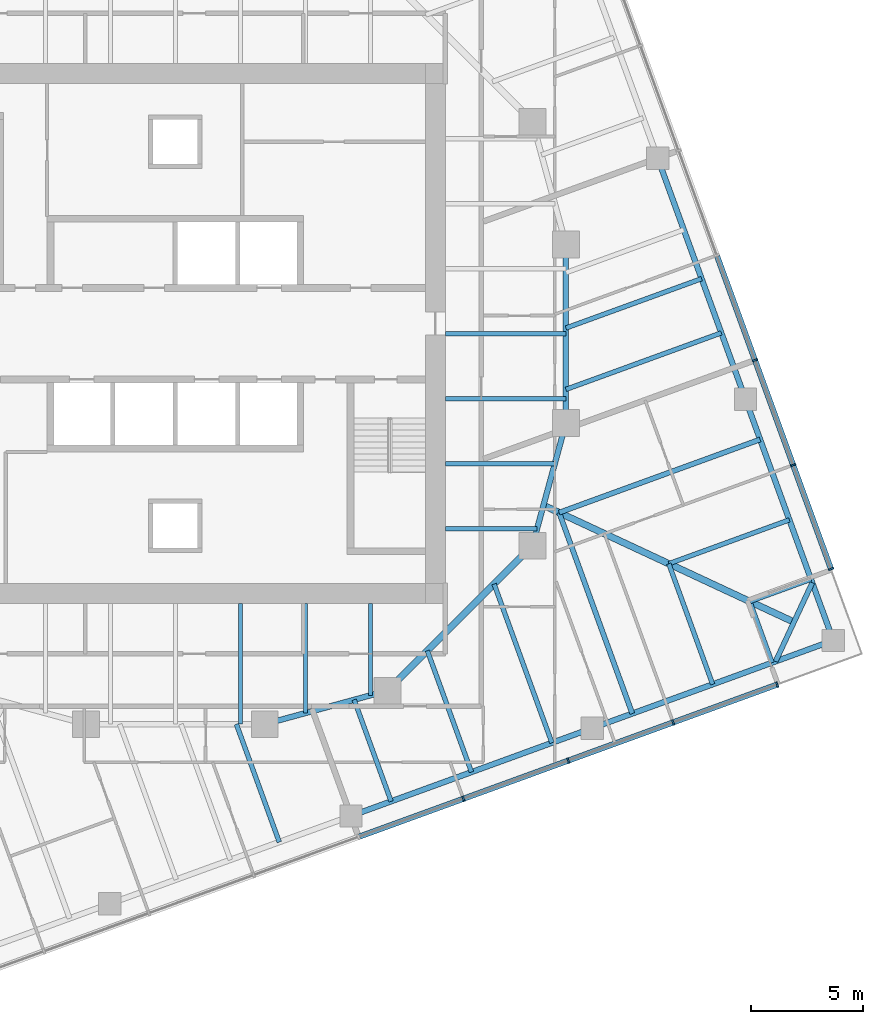
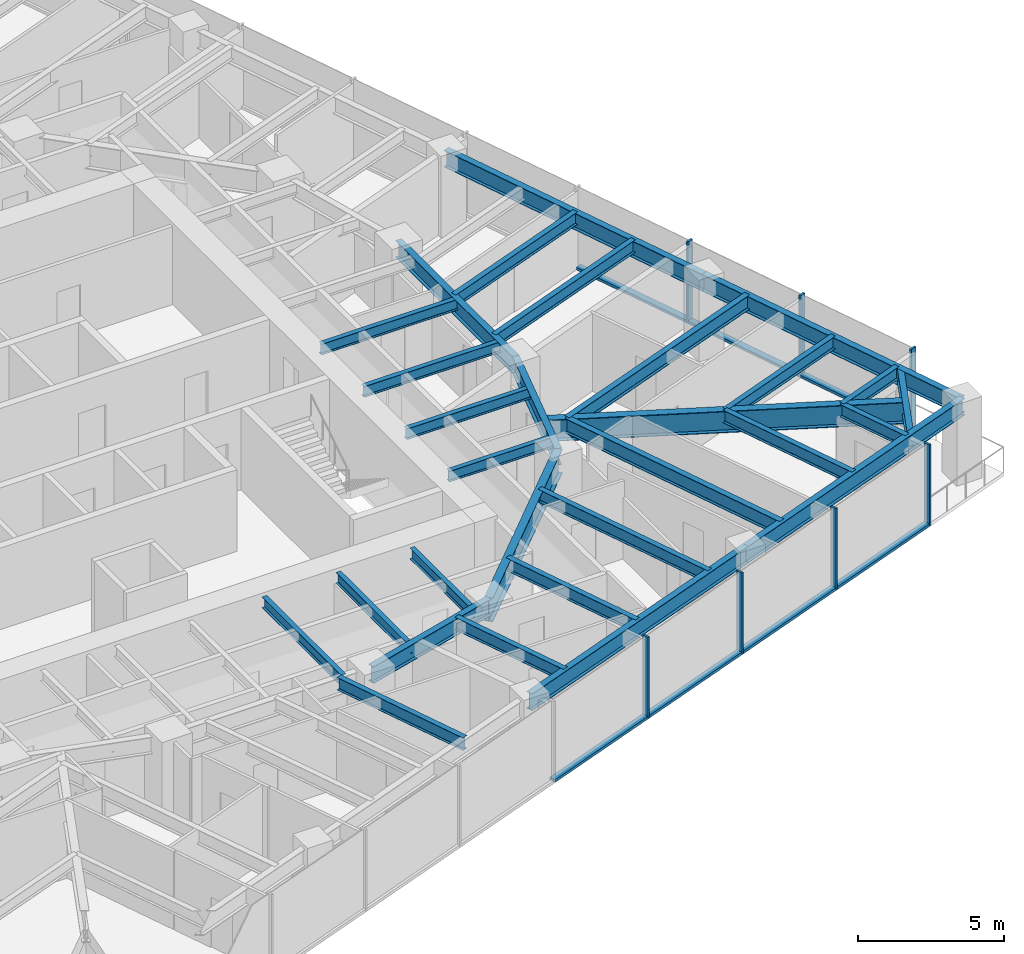
# One storey, part 3 of 13: 29 beams, 14 members, 2 elements without a shape of their own.
"""IFC4 building model written with IfcOpenShell, lengths in metres."""

from ifc_helpers import new_model, si_unit, direction, frame, origin, origin_2d, place, context, subcontext, project, spatial, rectangle, i_section, extrude, material, material_profile, profile_set, type_object, element, aggregate, save


model = new_model("IFC4")

# Units and contexts
model_context = context("Model", 3, precision=1e-05, world=origin(), true_north=direction((0.0, 1.0)))
body_context = subcontext(model_context, "Body", "Model", "MODEL_VIEW")
ifc_project = project(units=[si_unit("LENGTHUNIT", "METRE"), si_unit("AREAUNIT", "SQUARE_METRE"), si_unit("VOLUMEUNIT", "CUBIC_METRE"), si_unit("PLANEANGLEUNIT", "RADIAN"), si_unit("MASSUNIT", "GRAM", prefix="KILO")], contexts=[model_context])

# Site, building, storey
site_placement = place(None, origin())
site = spatial("IfcSite", under=ifc_project, at=site_placement, CompositionType="ELEMENT")
building_placement = place(site_placement, origin())
building = spatial("IfcBuilding", under=site, at=building_placement, Name="Torsade Residences", CompositionType="ELEMENT")
storey_placement = place(building_placement, frame((0.0, 0.0, 147.199951171875)))
storey = spatial("IfcBuildingStorey", under=building, at=storey_placement, Name="L40", CompositionType="ELEMENT", Elevation=147.199951171875)

# Beams
ifc_material_1 = material(Name="Steel grade 300", Category="steel")
ifc_material_profile_1 = material_profile(ifc_material_1, i_section(OverallWidth=0.300048828125, OverallDepth=0.89990234375, WebThickness=0.011962890625, FlangeThickness=0.02490234375, at=origin_2d()), Name="900WB175")
ifc_profile_set_1 = profile_set([ifc_material_profile_1], Name="Steel grade 300")
beam_type_1 = type_object("IfcBeamType", Name="CORNER GIRDER 900WB175", PredefinedType="BEAM", material=ifc_profile_set_1)
beam_1_placement = place(storey_placement, frame((67.717041015625, 17.075439453125, 2.800048828125), z_axis=(-0.906308509373, 0.422616712682, 0.0), x_axis=(-0.422616712682, -0.906308509373, 0.0)))
element("IfcBeam", 1, at=beam_1_placement, inside=storey, type_object=beam_type_1, Name="Corner girder 05 L41", PredefinedType="BEAM", context=body_context, shape_type="SweptSolid", body=[
    extrude(i_section(OverallWidth=0.300048828125, OverallDepth=0.89990234375, WebThickness=0.011962890625, FlangeThickness=0.02490234375, at=origin_2d()), origin(), (0.0, 0.0, 1.0), 12.3837890625),
])
ifc_material_2 = material(Name="Steel grade 300", Category="steel")
ifc_material_profile_2 = material_profile(ifc_material_2, i_section(OverallWidth=0.22802734375, OverallDepth=0.60205078125, WebThickness=0.010498046875, FlangeThickness=0.014892578125, FilletRadius=0.013916015625, at=origin_2d()), Name="610UB101")
ifc_profile_set_2 = profile_set([ifc_material_profile_2], Name="Steel grade 300")
beam_type_2 = type_object("IfcBeamType", Name="CORNER TRIMMER 610UB101", PredefinedType="BEAM", material=ifc_profile_set_2)
beam_2_placement = place(storey_placement, frame((68.538818359375, 18.837646484375, 2.948974609375), z_axis=(-0.422613947806, -0.906309798645, 0.0), x_axis=(0.906309798645, -0.422613947806, 0.0)))
element("IfcBeam", 2, at=beam_2_placement, inside=storey, type_object=beam_type_2, Name="Corner trimmer 05 L41", PredefinedType="BEAM", context=body_context, shape_type="SweptSolid", body=[
    extrude(i_section(OverallWidth=0.22802734375, OverallDepth=0.60205078125, WebThickness=0.010498046875, FlangeThickness=0.014892578125, FilletRadius=0.013916015625, at=origin_2d()), origin(), (0.0, 0.0, 1.0), 3.888916015625),
])
ifc_material_3 = material(Name="Steel grade 300", Category="steel")
ifc_material_profile_3 = material_profile(ifc_material_3, i_section(OverallWidth=0.25, OverallDepth=0.699951171875, WebThickness=0.010009765625, FlangeThickness=0.02001953125, at=origin_2d()), Name="700WB130")
ifc_profile_set_3 = profile_set([ifc_material_profile_3], Name="Steel grade 300")
beam_type_3 = type_object("IfcBeamType", Name="EDGE BEAM 700WB130", PredefinedType="SPANDREL", material=ifc_profile_set_3)
for number, where, z_axis, x_axis, name in (
    (3, (47.866455078125, 8.386962890625, 2.900146484375), (0.939688625666, 0.342031119628, 0.0), (-0.342031119628, 0.939688625666, 0.0), "Edge beam 03 L41"),
    (4, (58.6728515625, 12.3203125, 2.900146484375), (0.939697932031, 0.342005550448, 0.0), (-0.342005550448, 0.939697932031, 0.0), "Edge beam 04 L41"),
):
    element("IfcBeam", number, at=place(storey_placement, frame(where, z_axis=z_axis, x_axis=x_axis)), inside=storey, type_object=beam_type_3, Name=name, PredefinedType="SPANDREL", context=body_context, shape_type="SweptSolid", body=[
        extrude(i_section(OverallWidth=0.25, OverallDepth=0.699951171875, WebThickness=0.010009765625, FlangeThickness=0.02001953125, at=origin_2d()), origin(), (0.0, 0.0, 1.0), 11.5),
    ])
beam_3_placement = place(storey_placement, frame((69.4794921875, 16.25341796875, 2.900146484375), z_axis=(-0.342024296483, 0.93969110915, 0.0), x_axis=(-0.93969110915, -0.342024296483, 0.0)))
element("IfcBeam", 5, at=beam_3_placement, inside=storey, type_object=beam_type_3, Name="Edge beam 05 L41", PredefinedType="SPANDREL", context=body_context, shape_type="SweptSolid", body=[
    extrude(i_section(OverallWidth=0.25, OverallDepth=0.699951171875, WebThickness=0.010009765625, FlangeThickness=0.02001953125, at=origin_2d()), origin(), (0.0, 0.0, 1.0), 11.500244140625),
])
beam_4_placement = place(storey_placement, frame((65.546142578125, 27.06005859375, 2.900146484375), z_axis=(-0.342012373318, 0.939695448801, 0.0), x_axis=(-0.939695448801, -0.342012373318, 0.0)))
element("IfcBeam", 6, at=beam_4_placement, inside=storey, type_object=beam_type_3, Name="Edge beam 06 L41", PredefinedType="SPANDREL", context=body_context, shape_type="SweptSolid", body=[
    extrude(i_section(OverallWidth=0.25, OverallDepth=0.699951171875, WebThickness=0.010009765625, FlangeThickness=0.02001953125, at=origin_2d()), origin(), (0.0, 0.0, 1.0), 11.5),
])
ifc_material_4 = material(Name="Steel grade 300", Category="steel")
ifc_material_profile_4 = material_profile(ifc_material_4, i_section(OverallWidth=0.18994140625, OverallDepth=0.4541015625, WebThickness=0.008544921875, FlangeThickness=0.0126953125, FilletRadius=0.011474609375, at=origin_2d()), Name="460UB67.1")
ifc_profile_set_4 = profile_set([ifc_material_profile_4], Name="Steel grade 300")
beam_type_4 = type_object("IfcBeamType", Name="INNER FLOOR BEAM 460UB67.1", PredefinedType="JOIST", material=ifc_profile_set_4)
beam_5_placement = place(storey_placement, frame((48.737548828125, 17.89990234375, 3.02294921875), z_axis=(0.0, -1.0, 0.0), x_axis=(1.0, 0.0, 0.0)))
element("IfcBeam", 7, at=beam_5_placement, inside=storey, type_object=beam_type_4, Name="Inner floor beam IS01 L41", PredefinedType="JOIST", context=body_context, shape_type="SweptSolid", body=[
    extrude(i_section(OverallWidth=0.18994140625, OverallDepth=0.4541015625, WebThickness=0.008544921875, FlangeThickness=0.0126953125, FilletRadius=0.011474609375, at=origin_2d()), origin(), (0.0, 0.0, 1.0), 4.10791015625),
])
beam_6_placement = place(storey_placement, frame((45.824951171875, 17.89990234375, 3.02294921875), z_axis=(0.0, -1.0, 0.0), x_axis=(1.0, 0.0, 0.0)))
element("IfcBeam", 8, at=beam_6_placement, inside=storey, type_object=beam_type_4, Name="Inner floor beam IS02 L41", PredefinedType="JOIST", context=body_context, shape_type="SweptSolid", body=[
    extrude(i_section(OverallWidth=0.18994140625, OverallDepth=0.4541015625, WebThickness=0.008544921875, FlangeThickness=0.0126953125, FilletRadius=0.011474609375, at=origin_2d()), origin(), (0.0, 0.0, 1.0), 4.902099609375),
])
beam_7_placement = place(storey_placement, frame((42.91259765625, 17.89990234375, 3.02294921875), z_axis=(0.0, -1.0, 0.0), x_axis=(1.0, 0.0, 0.0)))
element("IfcBeam", 9, at=beam_7_placement, inside=storey, type_object=beam_type_4, Name="Inner floor beam IS03 L41", PredefinedType="JOIST", context=body_context, shape_type="SweptSolid", body=[
    extrude(i_section(OverallWidth=0.18994140625, OverallDepth=0.4541015625, WebThickness=0.008544921875, FlangeThickness=0.0126953125, FilletRadius=0.011474609375, at=origin_2d()), origin(), (0.0, 0.0, 1.0), 5.39990234375),
])
beam_8_placement = place(storey_placement, frame((52.10009765625, 21.262451171875, 3.02294921875), z_axis=(1.0, 0.0, 0.0), x_axis=(0.0, 1.0, 0.0)))
element("IfcBeam", 10, at=beam_8_placement, inside=storey, type_object=beam_type_4, Name="Inner floor beam IE01 L41", PredefinedType="JOIST", context=body_context, shape_type="SweptSolid", body=[
    extrude(i_section(OverallWidth=0.18994140625, OverallDepth=0.4541015625, WebThickness=0.008544921875, FlangeThickness=0.0126953125, FilletRadius=0.011474609375, at=origin_2d()), origin(), (0.0, 0.0, 1.0), 4.10791015625),
])
beam_9_placement = place(storey_placement, frame((52.10009765625, 24.175048828125, 3.02294921875), z_axis=(1.0, 0.0, 0.0), x_axis=(0.0, 1.0, 0.0)))
element("IfcBeam", 11, at=beam_9_placement, inside=storey, type_object=beam_type_4, Name="Inner floor beam IE02 L41", PredefinedType="JOIST", context=body_context, shape_type="SweptSolid", body=[
    extrude(i_section(OverallWidth=0.18994140625, OverallDepth=0.4541015625, WebThickness=0.008544921875, FlangeThickness=0.0126953125, FilletRadius=0.011474609375, at=origin_2d()), origin(), (0.0, 0.0, 1.0), 4.902099609375),
])
for number, where, z_axis, x_axis, name in (
    (12, (52.10009765625, 27.08740234375, 3.02294921875), (1.0, 0.0, 0.0), (0.0, 1.0, 0.0), "Inner floor beam IE03 L41"),
    (13, (52.10009765625, 30.0, 3.02294921875), (1.0, 0.0, 0.0), (0.0, 1.0, 0.0), "Inner floor beam IE04 L41"),
):
    element("IfcBeam", number, at=place(storey_placement, frame(where, z_axis=z_axis, x_axis=x_axis)), inside=storey, type_object=beam_type_4, Name=name, PredefinedType="JOIST", context=body_context, shape_type="SweptSolid", body=[
        extrude(i_section(OverallWidth=0.18994140625, OverallDepth=0.4541015625, WebThickness=0.008544921875, FlangeThickness=0.0126953125, FilletRadius=0.011474609375, at=origin_2d()), origin(), (0.0, 0.0, 1.0), 5.39990234375),
    ])

# Curtain wall, members
ifc_material_5 = material(Name="Aluminium and glass", Category="aluminium")
curtain_wall_type = type_object("IfcCurtainWallType", Name="FRITTED GLASS CURTAIN WALL MID ZONE", PredefinedType="NOTDEFINED", material=ifc_material_5)
curtain_wall_1_placement = place(storey_placement, origin())
curtain_wall_1 = element("IfcCurtainWall", 14, at=curtain_wall_1_placement, inside=storey, type_object=curtain_wall_type, Name="Curtain wall L40 face 1", PredefinedType="NOTDEFINED")
ifc_material_6 = material(Name="Aluminium mullion", Category="aluminium")
ifc_material_profile_5 = material_profile(ifc_material_6, rectangle(XDim=0.25, YDim=0.080078125, at=origin_2d()), Name="MID ZONE CURTAIN WALL MULLION 250x80")
ifc_profile_set_5 = profile_set([ifc_material_profile_5], Name="Aluminium mullion")
member_type_1 = type_object("IfcMemberType", Name="MID ZONE CURTAIN WALL MULLION 250x80", PredefinedType="MULLION", material=ifc_profile_set_5)
member_1_placement = place(storey_placement, frame((52.906982421875, 9.157470703125, 0.0), z_axis=(0.0, 0.0, 1.0), x_axis=(-0.342020147869, 0.939692619132, 0.0)))
member_1 = element("IfcMember", 15, at=member_1_placement, type_object=member_type_1, Name="Mullion 6", PredefinedType="MULLION", context=body_context, shape_type="SweptSolid", body=[
    extrude(rectangle(XDim=0.25, YDim=0.080078125, at=origin_2d()), origin(), (0.0, 0.0, 1.0), 3.400146484375),
])
member_2_placement = place(storey_placement, frame((57.60546875, 10.86767578125, 0.0), z_axis=(0.0, 0.0, 1.0), x_axis=(-0.342020147869, 0.939692619132, 0.0)))
member_2 = element("IfcMember", 16, at=member_2_placement, type_object=member_type_1, Name="Mullion 7", PredefinedType="MULLION", context=body_context, shape_type="SweptSolid", body=[
    extrude(rectangle(XDim=0.25, YDim=0.080078125, at=origin_2d()), origin(), (0.0, 0.0, 1.0), 3.400146484375),
])
member_3_placement = place(storey_placement, frame((62.303955078125, 12.57763671875, 0.0), z_axis=(0.0, 0.0, 1.0), x_axis=(-0.342020147869, 0.939692619132, 0.0)))
member_3 = element("IfcMember", 17, at=member_3_placement, type_object=member_type_1, Name="Mullion 8", PredefinedType="MULLION", context=body_context, shape_type="SweptSolid", body=[
    extrude(rectangle(XDim=0.25, YDim=0.080078125, at=origin_2d()), origin(), (0.0, 0.0, 1.0), 3.400146484375),
])
member_4_placement = place(storey_placement, frame((66.96484375, 14.274169921875, 0.0), z_axis=(0.0, 0.0, 1.0), x_axis=(-0.342020147869, 0.939692619132, 0.0)))
member_4 = element("IfcMember", 18, at=member_4_placement, type_object=member_type_1, Name="Mullion 9", PredefinedType="MULLION", context=body_context, shape_type="SweptSolid", body=[
    extrude(rectangle(XDim=0.25, YDim=0.080078125, at=origin_2d()), origin(), (0.0, 0.0, 1.0), 3.400146484375),
])

curtain_wall_2_placement = place(storey_placement, origin())
curtain_wall_2 = element("IfcCurtainWall", 19, at=curtain_wall_2_placement, inside=storey, type_object=curtain_wall_type, Name="Curtain wall L40 face 4", PredefinedType="NOTDEFINED")
member_5_placement = place(storey_placement, frame((69.37939453125, 19.4521484375, 0.0), z_axis=(0.0, 0.0, 1.0), x_axis=(-0.939692619132, -0.342020147869, 0.0)))
member_5 = element("IfcMember", 20, at=member_5_placement, type_object=member_type_1, Name="Mullion 1", PredefinedType="MULLION", context=body_context, shape_type="SweptSolid", body=[
    extrude(rectangle(XDim=0.25, YDim=0.080078125, at=origin_2d()), origin(), (0.0, 0.0, 1.0), 3.400146484375),
])
member_6_placement = place(storey_placement, frame((67.682861328125, 24.113037109375, 0.0), z_axis=(0.0, 0.0, 1.0), x_axis=(-0.939692619132, -0.342020147869, 0.0)))
member_6 = element("IfcMember", 21, at=member_6_placement, type_object=member_type_1, Name="Mullion 2", PredefinedType="MULLION", context=body_context, shape_type="SweptSolid", body=[
    extrude(rectangle(XDim=0.25, YDim=0.080078125, at=origin_2d()), origin(), (0.0, 0.0, 1.0), 3.400146484375),
])
member_7_placement = place(storey_placement, frame((65.972900390625, 28.8115234375, 0.0), z_axis=(0.0, 0.0, 1.0), x_axis=(-0.939692619132, -0.342020147869, 0.0)))
member_7 = element("IfcMember", 22, at=member_7_placement, type_object=member_type_1, Name="Mullion 3", PredefinedType="MULLION", context=body_context, shape_type="SweptSolid", body=[
    extrude(rectangle(XDim=0.25, YDim=0.080078125, at=origin_2d()), origin(), (0.0, 0.0, 1.0), 3.400146484375),
])

# Member
ifc_material_7 = material(Name="Aluminium transom", Category="aluminium")
ifc_material_profile_6 = material_profile(ifc_material_7, rectangle(XDim=0.25, YDim=0.110107421875, at=origin_2d()), Name="MID ZONE CURTAIN WALL TRANSOM 250x110")
ifc_profile_set_6 = profile_set([ifc_material_profile_6], Name="Aluminium transom")
member_type_2 = type_object("IfcMemberType", Name="MID ZONE CURTAIN WALL TRANSOM 250x110", PredefinedType="USERDEFINED", material=ifc_profile_set_6)
member_8_placement = place(storey_placement, frame((48.24609375, 7.4609375, 0.054931640625), z_axis=(0.93968471549, 0.342041862168, 0.0), x_axis=(-0.342041862168, 0.93968471549, 0.0)))
member_8 = element("IfcMember", 23, at=member_8_placement, type_object=member_type_2, Name="Transom 5.1", ObjectType="TRANSOM", PredefinedType="USERDEFINED", context=body_context, shape_type="SweptSolid", body=[
    extrude(rectangle(XDim=0.25, YDim=0.110107421875, at=origin_2d()), origin(), (0.0, 0.0, 1.0), 4.920166015625),
])

member_9_placement = place(storey_placement, frame((52.944580078125, 9.171142578125, 0.054931640625), z_axis=(0.93968471549, 0.342041862168, 0.0), x_axis=(-0.342041862168, 0.93968471549, 0.0)))
member_9 = element("IfcMember", 24, at=member_9_placement, type_object=member_type_2, Name="Transom 6.1", ObjectType="TRANSOM", PredefinedType="USERDEFINED", context=body_context, shape_type="SweptSolid", body=[
    extrude(rectangle(XDim=0.25, YDim=0.110107421875, at=origin_2d()), origin(), (0.0, 0.0, 1.0), 4.920166015625),
])

member_10_placement = place(storey_placement, frame((57.64306640625, 10.88134765625, 0.054931640625), z_axis=(0.9397006637, 0.341998044792, 0.0), x_axis=(-0.341998044792, 0.9397006637, 0.0)))
member_10 = element("IfcMember", 25, at=member_10_placement, type_object=member_type_2, Name="Transom 7.1", ObjectType="TRANSOM", PredefinedType="USERDEFINED", context=body_context, shape_type="SweptSolid", body=[
    extrude(rectangle(XDim=0.25, YDim=0.110107421875, at=origin_2d()), origin(), (0.0, 0.0, 1.0), 4.919921875),
])

member_11_placement = place(storey_placement, frame((62.341552734375, 12.59130859375, 0.054931640625), z_axis=(0.939683823915, 0.342044311564, 0.0), x_axis=(-0.342044311564, 0.939683823915, 0.0)))
member_11 = element("IfcMember", 26, at=member_11_placement, type_object=member_type_2, Name="Transom 8.1", ObjectType="TRANSOM", PredefinedType="USERDEFINED", context=body_context, shape_type="SweptSolid", body=[
    extrude(rectangle(XDim=0.25, YDim=0.110107421875, at=origin_2d()), origin(), (0.0, 0.0, 1.0), 4.880126953125),
])

aggregate(curtain_wall_1, [member_1, member_2, member_3, member_4, member_8, member_9, member_10, member_11])

member_12_placement = place(storey_placement, frame((69.36572265625, 19.48974609375, 0.054931640625), z_axis=(-0.342044311564, 0.939683823915, 0.0), x_axis=(-0.939683823915, -0.342044311564, 0.0)))
member_12 = element("IfcMember", 27, at=member_12_placement, type_object=member_type_2, Name="Transom 1.1", ObjectType="TRANSOM", PredefinedType="USERDEFINED", context=body_context, shape_type="SweptSolid", body=[
    extrude(rectangle(XDim=0.25, YDim=0.110107421875, at=origin_2d()), origin(), (0.0, 0.0, 1.0), 4.880126953125),
])

member_13_placement = place(storey_placement, frame((67.669189453125, 24.150634765625, 0.054931640625), z_axis=(-0.341998044792, 0.9397006637, 0.0), x_axis=(-0.9397006637, -0.341998044792, 0.0)))
member_13 = element("IfcMember", 28, at=member_13_placement, type_object=member_type_2, Name="Transom 2.1", ObjectType="TRANSOM", PredefinedType="USERDEFINED", context=body_context, shape_type="SweptSolid", body=[
    extrude(rectangle(XDim=0.25, YDim=0.110107421875, at=origin_2d()), origin(), (0.0, 0.0, 1.0), 4.919921875),
])

member_14_placement = place(storey_placement, frame((65.959228515625, 28.84912109375, 0.054931640625), z_axis=(-0.342041862168, 0.93968471549, 0.0), x_axis=(-0.93968471549, -0.342041862168, 0.0)))
member_14 = element("IfcMember", 29, at=member_14_placement, type_object=member_type_2, Name="Transom 3.1", ObjectType="TRANSOM", PredefinedType="USERDEFINED", context=body_context, shape_type="SweptSolid", body=[
    extrude(rectangle(XDim=0.25, YDim=0.110107421875, at=origin_2d()), origin(), (0.0, 0.0, 1.0), 4.920166015625),
])

aggregate(curtain_wall_2, [member_5, member_6, member_7, member_12, member_13, member_14])

# Beams
ifc_material_8 = material(Name="Steel grade 300", Category="steel")
ifc_material_profile_7 = material_profile(ifc_material_8, i_section(OverallWidth=0.300048828125, OverallDepth=1.0, WebThickness=0.01611328125, FlangeThickness=0.028076171875, at=origin_2d()), Name="1000WB215")
ifc_profile_set_7 = profile_set([ifc_material_profile_7], Name="Steel grade 300")
beam_type_5 = type_object("IfcBeamType", Name="RING CORNER GIRDER 1000WB215", PredefinedType="BEAM", material=ifc_profile_set_7)
beam_10_placement = place(storey_placement, frame((49.5, 14.0, 2.75), z_axis=(0.707106781187, 0.707106781187, 0.0), x_axis=(-0.707106781187, 0.707106781187, 0.0)))
element("IfcBeam", 30, at=beam_10_placement, inside=storey, type_object=beam_type_5, Name="Ring girder IR15 L41", PredefinedType="BEAM", context=body_context, shape_type="SweptSolid", body=[
    extrude(i_section(OverallWidth=0.300048828125, OverallDepth=1.0, WebThickness=0.01611328125, FlangeThickness=0.028076171875, at=origin_2d()), origin(), (0.0, 0.0, 1.0), 9.1923828125),
])
ifc_material_9 = material(Name="Steel grade 300", Category="steel")
ifc_material_profile_8 = material_profile(ifc_material_9, i_section(OverallWidth=0.25, OverallDepth=0.699951171875, WebThickness=0.010009765625, FlangeThickness=0.02001953125, at=origin_2d()), Name="700WB130")
ifc_profile_set_8 = profile_set([ifc_material_profile_8], Name="Steel grade 300")
beam_type_6 = type_object("IfcBeamType", Name="RING GIRDER 700WB130", PredefinedType="BEAM", material=ifc_profile_set_8)
beam_11_placement = place(storey_placement, frame((57.5, 26.0, 2.900146484375), z_axis=(0.0, 1.0, 0.0), x_axis=(-1.0, 0.0, 0.0)))
element("IfcBeam", 31, at=beam_11_placement, inside=storey, type_object=beam_type_6, Name="Ring girder IR01 L41", PredefinedType="BEAM", context=body_context, shape_type="SweptSolid", body=[
    extrude(i_section(OverallWidth=0.25, OverallDepth=0.699951171875, WebThickness=0.010009765625, FlangeThickness=0.02001953125, at=origin_2d()), origin(), (0.0, 0.0, 1.0), 8.0),
])
for number, where, z_axis, x_axis, name in (
    (32, (44.0, 12.5, 2.900146484375), (0.964763821238, 0.263117405792, 0.0), (-0.263117405792, 0.964763821238, 0.0), "Ring girder IR14 L41"),
    (33, (56.0, 20.5, 2.900146484375), (0.263117405792, 0.964763821238, 0.0), (-0.964763821238, 0.263117405792, 0.0), "Ring girder IR16 L41"),
):
    element("IfcBeam", number, at=place(storey_placement, frame(where, z_axis=z_axis, x_axis=x_axis)), inside=storey, type_object=beam_type_6, Name=name, PredefinedType="BEAM", context=body_context, shape_type="SweptSolid", body=[
        extrude(i_section(OverallWidth=0.25, OverallDepth=0.699951171875, WebThickness=0.010009765625, FlangeThickness=0.02001953125, at=origin_2d()), origin(), (0.0, 0.0, 1.0), 5.700927734375),
    ])
ifc_material_10 = material(Name="Steel grade 300", Category="steel")
ifc_material_profile_9 = material_profile(ifc_material_10, i_section(OverallWidth=0.208984375, OverallDepth=0.528076171875, WebThickness=0.009521484375, FlangeThickness=0.01318359375, FilletRadius=0.013916015625, at=origin_2d()), Name="530UB82.0")
ifc_profile_set_9 = profile_set([ifc_material_profile_9], Name="Steel grade 300")
beam_type_7 = type_object("IfcBeamType", Name="SECONDARY BEAM 530UB82.0", PredefinedType="JOIST", material=ifc_profile_set_9)
beam_12_placement = place(storey_placement, frame((44.65576171875, 7.218505859375, 2.986083984375), z_axis=(-0.341990681925, 0.939703343336, 0.0), x_axis=(-0.939703343336, -0.341990681925, 0.0)))
element("IfcBeam", 34, at=beam_12_placement, inside=storey, type_object=beam_type_7, Name="Floor beam FS06 L41", PredefinedType="JOIST", context=body_context, shape_type="SweptSolid", body=[
    extrude(i_section(OverallWidth=0.208984375, OverallDepth=0.528076171875, WebThickness=0.009521484375, FlangeThickness=0.01318359375, FilletRadius=0.013916015625, at=origin_2d()), origin(), (0.0, 0.0, 1.0), 5.620361328125),
])
beam_13_placement = place(storey_placement, frame((49.66748046875, 9.042724609375, 2.986083984375), z_axis=(-0.342014218604, 0.939694777187, 0.0), x_axis=(-0.939694777187, -0.342014218604, 0.0)))
element("IfcBeam", 35, at=beam_13_placement, inside=storey, type_object=beam_type_7, Name="Floor beam FS07 L41", PredefinedType="JOIST", context=body_context, shape_type="SweptSolid", body=[
    extrude(i_section(OverallWidth=0.208984375, OverallDepth=0.528076171875, WebThickness=0.009521484375, FlangeThickness=0.01318359375, FilletRadius=0.013916015625, at=origin_2d()), origin(), (0.0, 0.0, 1.0), 4.84326171875),
])
beam_14_placement = place(storey_placement, frame((53.269775390625, 10.353759765625, 2.986083984375), z_axis=(-0.342034409239, 0.939687428295, 0.0), x_axis=(-0.939687428295, -0.342034409239, 0.0)))
element("IfcBeam", 36, at=beam_14_placement, inside=storey, type_object=beam_type_7, Name="Floor beam FS08 L41", PredefinedType="JOIST", context=body_context, shape_type="SweptSolid", body=[
    extrude(i_section(OverallWidth=0.208984375, OverallDepth=0.528076171875, WebThickness=0.009521484375, FlangeThickness=0.01318359375, FilletRadius=0.013916015625, at=origin_2d()), origin(), (0.0, 0.0, 1.0), 5.785888671875),
])
beam_15_placement = place(storey_placement, frame((56.871826171875, 11.664794921875, 2.986083984375), z_axis=(-0.342027762686, 0.939689847531, 0.0), x_axis=(-0.939689847531, -0.342027762686, 0.0)))
element("IfcBeam", 37, at=beam_15_placement, inside=storey, type_object=beam_type_7, Name="Floor beam FS09 L41", PredefinedType="JOIST", context=body_context, shape_type="SweptSolid", body=[
    extrude(i_section(OverallWidth=0.208984375, OverallDepth=0.528076171875, WebThickness=0.009521484375, FlangeThickness=0.01318359375, FilletRadius=0.013916015625, at=origin_2d()), origin(), (0.0, 0.0, 1.0), 7.573486328125),
])
beam_16_placement = place(storey_placement, frame((64.076171875, 14.286865234375, 2.986083984375), z_axis=(-0.342005550448, 0.939697932031, 0.0), x_axis=(-0.939697932031, -0.342005550448, 0.0)))
element("IfcBeam", 38, at=beam_16_placement, inside=storey, type_object=beam_type_7, Name="Floor beam FS11 L41", PredefinedType="JOIST", context=body_context, shape_type="SweptSolid", body=[
    extrude(i_section(OverallWidth=0.208984375, OverallDepth=0.528076171875, WebThickness=0.009521484375, FlangeThickness=0.01318359375, FilletRadius=0.013916015625, at=origin_2d()), origin(), (0.0, 0.0, 1.0), 5.75),
])
for number, where, z_axis, x_axis, name in (
    (39, (66.738525390625, 15.255859375, 2.986083984375), (-0.341998427281, 0.939700524495, 0.0), (-0.939700524495, -0.341998427281, 0.0), "Floor beam FS12 L41"),
    (40, (68.48193359375, 18.994384765625, 2.986083984375), (-0.939700524495, -0.341998427281, 0.0), (0.341998427281, -0.939700524495, 0.0), "Floor beam FE01 L41"),
):
    element("IfcBeam", number, at=place(storey_placement, frame(where, z_axis=z_axis, x_axis=x_axis)), inside=storey, type_object=beam_type_7, Name=name, PredefinedType="JOIST", context=body_context, shape_type="SweptSolid", body=[
        extrude(i_section(OverallWidth=0.208984375, OverallDepth=0.528076171875, WebThickness=0.009521484375, FlangeThickness=0.01318359375, FilletRadius=0.013916015625, at=origin_2d()), origin(), (0.0, 0.0, 1.0), 2.916748046875),
    ])
beam_17_placement = place(storey_placement, frame((67.5126953125, 21.65673828125, 2.986083984375), z_axis=(-0.939692965423, -0.342019196443, 0.0), x_axis=(0.342019196443, -0.939692965423, 0.0)))
element("IfcBeam", 41, at=beam_17_placement, inside=storey, type_object=beam_type_7, Name="Floor beam FE02 L41", PredefinedType="JOIST", context=body_context, shape_type="SweptSolid", body=[
    extrude(i_section(OverallWidth=0.208984375, OverallDepth=0.528076171875, WebThickness=0.009521484375, FlangeThickness=0.01318359375, FilletRadius=0.013916015625, at=origin_2d()), origin(), (0.0, 0.0, 1.0), 5.749755859375),
])
beam_18_placement = place(storey_placement, frame((64.463134765625, 30.03564453125, 2.986083984375), z_axis=(-0.939690450554, -0.342026105929, 0.0), x_axis=(0.342026105929, -0.939690450554, 0.0)))
element("IfcBeam", 42, at=beam_18_placement, inside=storey, type_object=beam_type_7, Name="Floor beam FE04 L41", PredefinedType="JOIST", context=body_context, shape_type="SweptSolid", body=[
    extrude(i_section(OverallWidth=0.208984375, OverallDepth=0.528076171875, WebThickness=0.009521484375, FlangeThickness=0.01318359375, FilletRadius=0.013916015625, at=origin_2d()), origin(), (0.0, 0.0, 1.0), 7.409912109375),
])
beam_19_placement = place(storey_placement, frame((63.57958984375, 32.463134765625, 2.986083984375), z_axis=(-0.939699737026, -0.342000590983, 0.0), x_axis=(0.342000590983, -0.939699737026, 0.0)))
element("IfcBeam", 43, at=beam_19_placement, inside=storey, type_object=beam_type_7, Name="Floor beam FE05 L41", PredefinedType="JOIST", context=body_context, shape_type="SweptSolid", body=[
    extrude(i_section(OverallWidth=0.208984375, OverallDepth=0.528076171875, WebThickness=0.009521484375, FlangeThickness=0.01318359375, FilletRadius=0.013916015625, at=origin_2d()), origin(), (0.0, 0.0, 1.0), 6.4697265625),
])
ifc_material_11 = material(Name="Steel grade 300", Category="steel")
ifc_material_profile_10 = material_profile(ifc_material_11, i_section(OverallWidth=0.22900390625, OverallDepth=0.612060546875, WebThickness=0.011962890625, FlangeThickness=0.01953125, FilletRadius=0.013916015625, at=origin_2d()), Name="610UB125")
ifc_profile_set_10 = profile_set([ifc_material_profile_10], Name="Steel grade 300")
beam_type_8 = type_object("IfcBeamType", Name="SECONDARY BEAM 610UB125", PredefinedType="JOIST", material=ifc_profile_set_10)
for number, where, z_axis, x_axis, name in (
    (44, (60.47412109375, 12.975830078125, 2.944091796875), (-0.342033504181, 0.939687757725, 0.0), (-0.939687757725, -0.342033504181, 0.0), "Floor beam FS10 L41"),
    (45, (66.20166015625, 25.259033203125, 2.944091796875), (-0.939687757725, -0.342033504181, 0.0), (0.342033504181, -0.939687757725, 0.0), "Floor beam FE03 L41"),
):
    element("IfcBeam", number, at=place(storey_placement, frame(where, z_axis=z_axis, x_axis=x_axis)), inside=storey, type_object=beam_type_8, Name=name, PredefinedType="JOIST", context=body_context, shape_type="SweptSolid", body=[
        extrude(i_section(OverallWidth=0.22900390625, OverallDepth=0.612060546875, WebThickness=0.011962890625, FlangeThickness=0.01953125, FilletRadius=0.013916015625, at=origin_2d()), origin(), (0.0, 0.0, 1.0), 9.583251953125),
    ])

save(model, "model.ifc")
